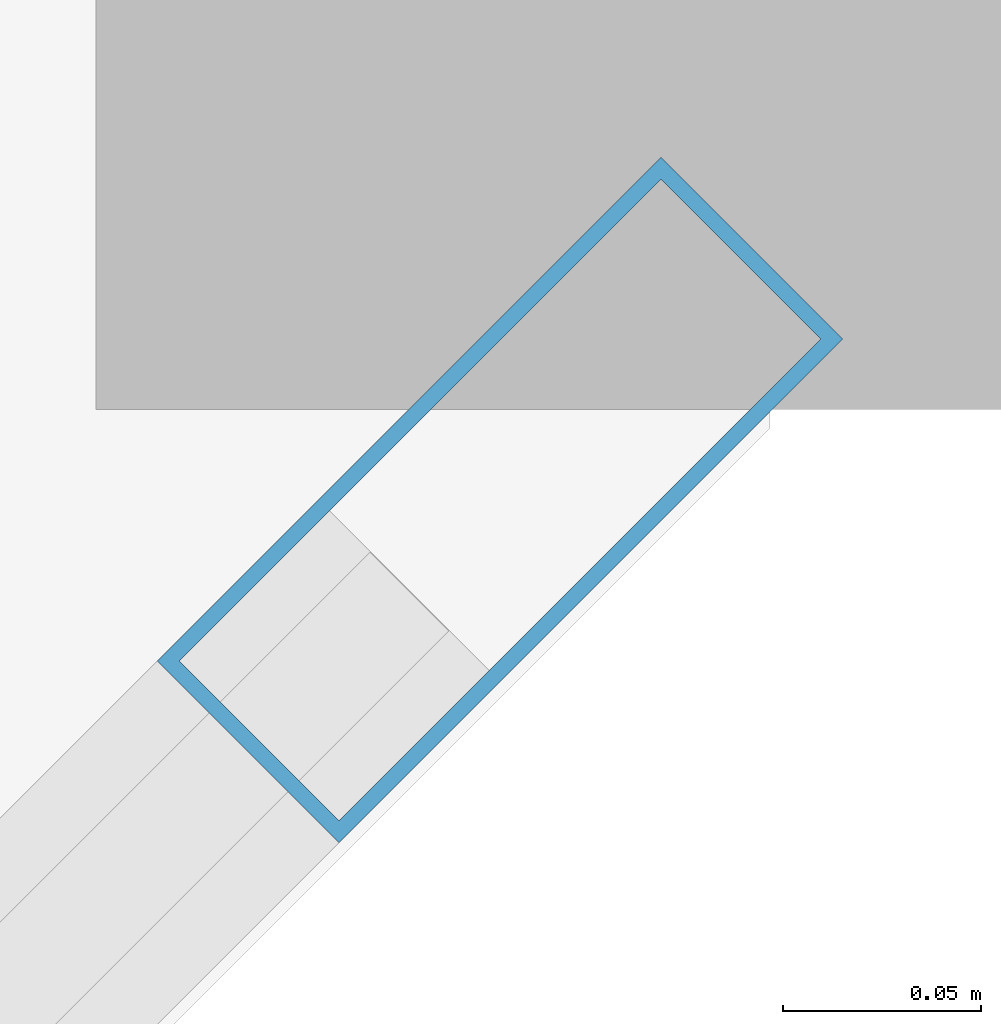
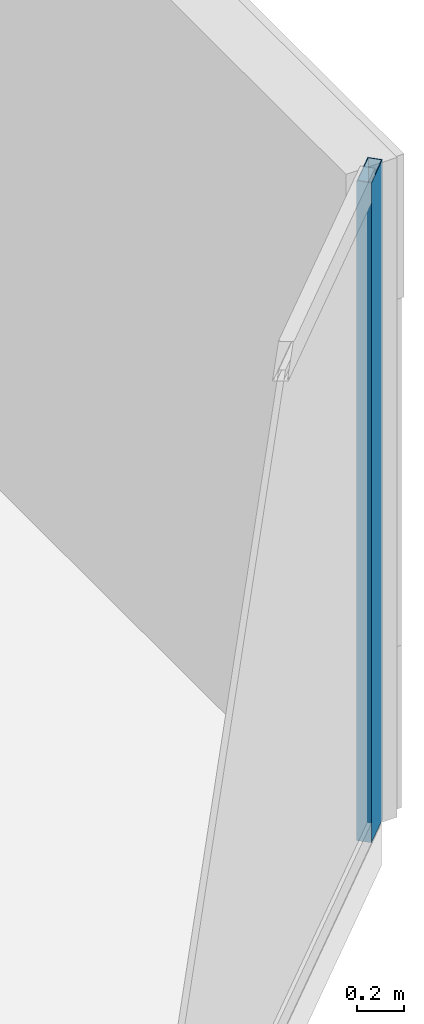
# One storey, part 22 of 39: 1 member, 1 element without a shape of its own.
"""IFC4 building model written with IfcOpenShell, lengths in metres."""

from ifc_helpers import new_model, si_unit, direction, frame, origin, origin_2d, place, context, subcontext, project, spatial, hollow_rectangle, extrude, material, layer, layer_set, material_profile, profile_set, type_object, element, aggregate, save


model = new_model("IFC4")

# Units and contexts
model_context = context("Model", 3, precision=1e-05, world=origin(), true_north=direction((0.0, 1.0)))
body_context = subcontext(model_context, "Body", "Model", "MODEL_VIEW")
ifc_project = project(units=[si_unit("LENGTHUNIT", "METRE"), si_unit("AREAUNIT", "SQUARE_METRE"), si_unit("VOLUMEUNIT", "CUBIC_METRE"), si_unit("PLANEANGLEUNIT", "RADIAN"), si_unit("MASSUNIT", "GRAM", prefix="KILO")], contexts=[model_context])

# Site, building, storey
site_placement = place(None, origin())
site = spatial("IfcSite", under=ifc_project, at=site_placement, CompositionType="ELEMENT")
building_placement = place(site_placement, origin())
building = spatial("IfcBuilding", under=site, at=building_placement, Name="Tanjung Sevakor Pilgrim Tower", CompositionType="ELEMENT")
storey_placement = place(building_placement, frame((0.0, 0.0, 112.199951171875)))
storey = spatial("IfcBuildingStorey", under=building, at=storey_placement, Name="L31", CompositionType="ELEMENT", Elevation=112.199951171875)

# Curtain wall, member
ifc_material_1 = material(Name="Aluminium 6063-T6 and Low-E Glass", Category="aluminium")
ifc_layer = layer(ifc_material_1, 0.179931640625)
ifc_layer_set = layer_set([ifc_layer], Name="CW-SYS-CHAM")
curtain_wall_type = type_object("IfcCurtainWallType", Name="CW-SYS-CHAM", PredefinedType="NOTDEFINED", material=ifc_layer_set)
curtain_wall_placement = place(storey_placement, origin())
curtain_wall = element("IfcCurtainWall", 1, at=curtain_wall_placement, inside=storey, type_object=curtain_wall_type, Name="L31 Curtain Wall CW-CHM-L31-MAIN-15", PredefinedType="NOTDEFINED")
ifc_material_2 = material(Name="Aluminium 6063-T6", Category="aluminium")
ifc_material_profile = material_profile(ifc_material_2, hollow_rectangle(XDim=0.06494140625, YDim=0.179931640625, WallThickness=0.00390625, at=origin_2d()))
ifc_profile_set = profile_set([ifc_material_profile], Name="Aluminium 6063-T6")
member_type = type_object("IfcMemberType", Name="TYPE-CWM-1", PredefinedType="MULLION", material=ifc_profile_set)
member_placement = place(storey_placement, frame((100.251953125, 13.828857421875, 0.0), z_axis=(0.0, 0.0, 1.0), x_axis=(-0.707106781187, 0.707106781187, 0.0)))
member = element("IfcMember", 2, at=member_placement, type_object=member_type, Name="CW-CHM mullion 2", PredefinedType="MULLION", context=body_context, shape_type="SweptSolid", body=[
    extrude(hollow_rectangle(XDim=0.06494140625, YDim=0.179931640625, WallThickness=0.00390625, at=origin_2d()), origin(), (0.0, 0.0, 1.0), 3.41015625),
])
aggregate(curtain_wall, [member])

save(model, "model.ifc")
